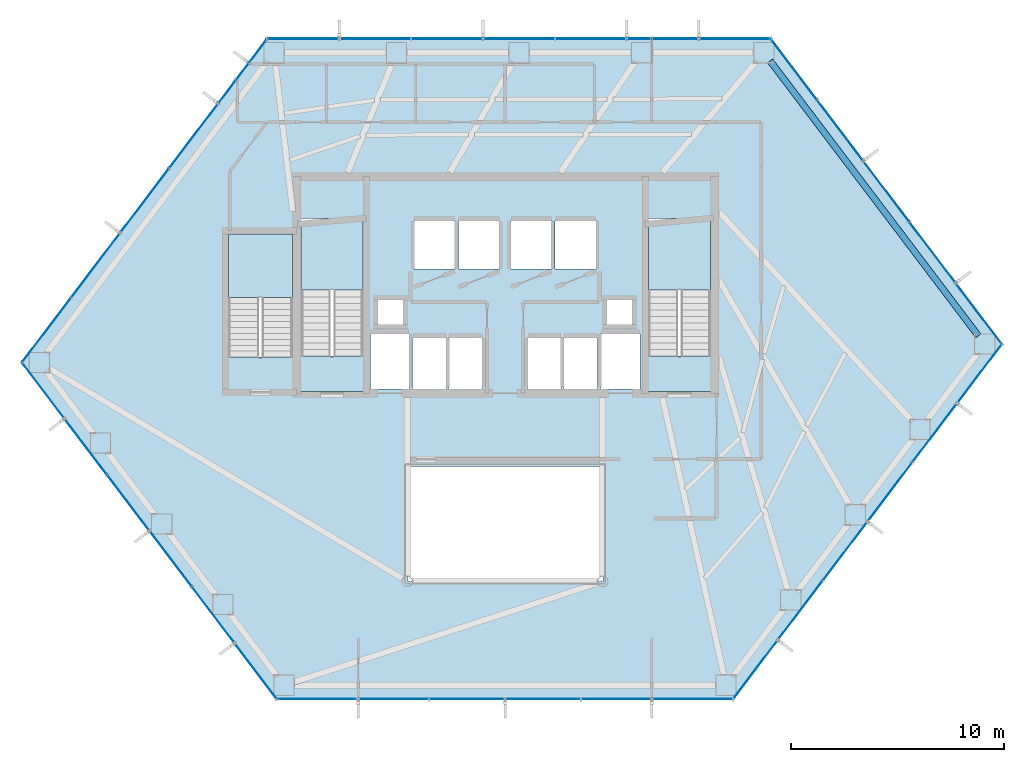
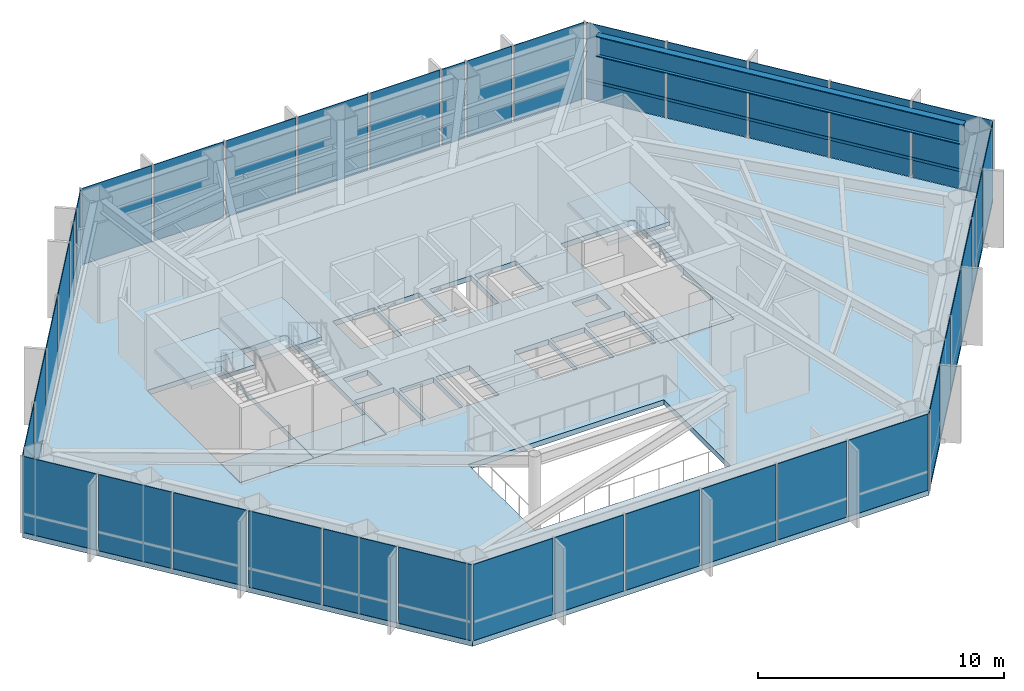
# One storey, part 21 of 25: 38 plates, 7 slabs, 1 beam, 1 member, 9 elements without a shape of their own.
"""IFC4 building model written with IfcOpenShell, lengths in metres."""

from ifc_helpers import new_model, si_unit, direction, frame, origin, origin_2d, place, context, subcontext, project, spatial, polyline, rectangle, hollow_rectangle, i_section, outline, extrude, material, layer, layer_set, material_profile, profile_set, type_object, element, aggregate, save


model = new_model("IFC4")

# Units and contexts
model_context = context("Model", 3, precision=1e-05, world=origin(), true_north=direction((0.0, 1.0)))
body_context = subcontext(model_context, "Body", "Model", "MODEL_VIEW")
ifc_project = project(units=[si_unit("LENGTHUNIT", "METRE"), si_unit("AREAUNIT", "SQUARE_METRE"), si_unit("VOLUMEUNIT", "CUBIC_METRE"), si_unit("PLANEANGLEUNIT", "RADIAN"), si_unit("MASSUNIT", "GRAM", prefix="KILO")], contexts=[model_context])

# Site, building, storey
site_placement = place(None, origin())
site = spatial("IfcSite", under=ifc_project, at=site_placement, CompositionType="ELEMENT")
building_placement = place(site_placement, origin())
building = spatial("IfcBuilding", under=site, at=building_placement, Name="Zarrinselat Tower", CompositionType="ELEMENT")
storey_placement = place(building_placement, frame((0.0, 0.0, 56.10009765625)))
storey = spatial("IfcBuildingStorey", under=building, at=storey_placement, Name="L13", CompositionType="ELEMENT", Elevation=56.10009765625)

# Beam
ifc_material_1 = material(Name="Steel S460M", Category="steel")
ifc_material_profile_1 = material_profile(ifc_material_1, i_section(OverallWidth=0.302001953125, OverallDepth=1.008056640625, WebThickness=0.02099609375, FlangeThickness=0.0400390625, at=origin_2d()), Name="HEM 1000")
ifc_profile_set_1 = profile_set([ifc_material_profile_1], Name="Steel S460M")
beam_type = type_object("IfcBeamType", Name="BM-HEM1000", PredefinedType="BEAM", material=ifc_profile_set_1)
beam_placement = place(storey_placement, frame((50.868896484375, 48.888916015625, 3.31591796875), z_axis=(0.603849576907, -0.797098292853, 0.0), x_axis=(0.797098292853, 0.603849576907, 0.0)))
element("IfcBeam", 1, at=beam_placement, inside=storey, type_object=beam_type, Name="L13 Perimeter Spandrel Girder SP15", PredefinedType="BEAM", context=body_context, shape_type="SweptSolid", body=[
    extrude(i_section(OverallWidth=0.302001953125, OverallDepth=1.008056640625, WebThickness=0.02099609375, FlangeThickness=0.0400390625, at=origin_2d()), origin(), (0.0, 0.0, 1.0), 16.2265625),
])

# Curtain wall, member
ifc_material_2 = material(Name="Extruded Aluminium Alloy EN AW-6063 T6", Category="aluminium")
ifc_layer_1 = layer(ifc_material_2, 0.18505859375)
ifc_layer_set_1 = layer_set([ifc_layer_1], Name="Extruded Aluminium Alloy EN AW-6063 T6")
curtain_wall_type = type_object("IfcCurtainWallType", Name="CWS-OFF", PredefinedType="NOTDEFINED", material=ifc_layer_set_1)
curtain_wall_1_placement = place(storey_placement, origin())
curtain_wall_1 = element("IfcCurtainWall", 2, at=curtain_wall_1_placement, inside=storey, type_object=curtain_wall_type, Name="L13 Unitised Curtain Wall CW-L13-E06", PredefinedType="NOTDEFINED")
ifc_material_3 = material(Name="Extruded Aluminium Alloy EN AW-6063 T6", Category="aluminium")
ifc_material_profile_2 = material_profile(ifc_material_3, hollow_rectangle(XDim=0.06005859375, YDim=0.139892578125, WallThickness=0.00390625, at=origin_2d()), Name="RHS 140x60x4")
ifc_profile_set_2 = profile_set([ifc_material_profile_2], Name="Extruded Aluminium Alloy EN AW-6063 T6")
member_type = type_object("IfcMemberType", Name="MEM-CW-TRN", PredefinedType="USERDEFINED", material=ifc_profile_set_2)
member_placement = place(storey_placement, frame((61.72314453125, 35.6376953125, 0.949951171875), z_axis=(-0.60386243115, 0.797088554833, 0.0), x_axis=(-0.797088554833, -0.60386243115, 0.0)))
member = element("IfcMember", 3, at=member_placement, type_object=member_type, Name="CW-L13-E06 Transom 1", ObjectType="TRANSOM", PredefinedType="USERDEFINED", context=body_context, shape_type="SweptSolid", body=[
    extrude(hollow_rectangle(XDim=0.06005859375, YDim=0.139892578125, WallThickness=0.00390625, at=origin_2d()), origin(), (0.0, 0.0, 1.0), 17.838134765625),
])

# Curtain wall, plates
curtain_wall_2_placement = place(storey_placement, origin())
curtain_wall_2 = element("IfcCurtainWall", 4, at=curtain_wall_2_placement, inside=storey, type_object=curtain_wall_type, Name="L13 Unitised Curtain Wall CW-L13-E01", PredefinedType="NOTDEFINED")
ifc_material_4 = material(Name="Double Low-E Laminated Solar Glass", Category="glass")
ifc_layer_2 = layer(ifc_material_4, 0.031982421875)
ifc_layer_set_2 = layer_set([ifc_layer_2], Name="Double Low-E Laminated Solar Glass")
plate_type = type_object("IfcPlateType", Name="PLT-CW-GL32", PredefinedType="CURTAIN_PANEL", material=ifc_layer_set_2)
plate_1_placement = place(storey_placement, frame((49.205322265625, 49.927734375, 0.02001953125), z_axis=(0.0, 0.0, 1.0), x_axis=(-1.0, 0.0, 0.0)))
plate_1 = element("IfcPlate", 5, at=plate_1_placement, type_object=plate_type, Name="CW-L13-E01 Vision Glass Panel 1", PredefinedType="CURTAIN_PANEL", context=body_context, shape_type="SweptSolid", body=[
    extrude(rectangle(XDim=3.28369140625, YDim=0.031982421875, at=origin_2d()), origin(), (0.0, 0.0, 1.0), 3.780029296875),
])
plate_2_placement = place(storey_placement, frame((46.40673828125, 49.927734375, 0.02001953125), z_axis=(0.0, 0.0, 1.0), x_axis=(-1.0, 0.0, 0.0)))
plate_2 = element("IfcPlate", 6, at=plate_2_placement, type_object=plate_type, Name="CW-L13-E01 Vision Glass Panel 2", PredefinedType="CURTAIN_PANEL", context=body_context, shape_type="SweptSolid", body=[
    extrude(rectangle(XDim=2.113525390625, YDim=0.031982421875, at=origin_2d()), origin(), (0.0, 0.0, 1.0), 3.780029296875),
])
plate_3_placement = place(storey_placement, frame((44.71484375, 49.927734375, 0.02001953125), z_axis=(0.0, 0.0, 1.0), x_axis=(-1.0, 0.0, 0.0)))
plate_3 = element("IfcPlate", 7, at=plate_3_placement, type_object=plate_type, Name="CW-L13-E01 Vision Glass Panel 3", PredefinedType="CURTAIN_PANEL", context=body_context, shape_type="SweptSolid", body=[
    extrude(rectangle(XDim=1.070068359375, YDim=0.031982421875, at=origin_2d()), origin(), (0.0, 0.0, 1.0), 3.780029296875),
])
plate_4_placement = place(storey_placement, frame((42.43798828125, 49.927734375, 0.02001953125), z_axis=(0.0, 0.0, 1.0), x_axis=(-1.0, 0.0, 0.0)))
plate_4 = element("IfcPlate", 8, at=plate_4_placement, type_object=plate_type, Name="CW-L13-E01 Vision Glass Panel 4", PredefinedType="CURTAIN_PANEL", context=body_context, shape_type="SweptSolid", body=[
    extrude(rectangle(XDim=3.28369140625, YDim=0.031982421875, at=origin_2d()), origin(), (0.0, 0.0, 1.0), 3.780029296875),
])
plate_5_placement = place(storey_placement, frame((39.05419921875, 49.927734375, 0.02001953125), z_axis=(0.0, 0.0, 1.0), x_axis=(-1.0, 0.0, 0.0)))
plate_5 = element("IfcPlate", 9, at=plate_5_placement, type_object=plate_type, Name="CW-L13-E01 Vision Glass Panel 5", PredefinedType="CURTAIN_PANEL", context=body_context, shape_type="SweptSolid", body=[
    extrude(rectangle(XDim=3.28369140625, YDim=0.031982421875, at=origin_2d()), origin(), (0.0, 0.0, 1.0), 3.780029296875),
])
plate_6_placement = place(storey_placement, frame((35.670654296875, 49.927734375, 0.02001953125), z_axis=(0.0, 0.0, 1.0), x_axis=(-1.0, 0.0, 0.0)))
plate_6 = element("IfcPlate", 10, at=plate_6_placement, type_object=plate_type, Name="CW-L13-E01 Vision Glass Panel 6", PredefinedType="CURTAIN_PANEL", context=body_context, shape_type="SweptSolid", body=[
    extrude(rectangle(XDim=3.28369140625, YDim=0.031982421875, at=origin_2d()), origin(), (0.0, 0.0, 1.0), 3.780029296875),
])
plate_7_placement = place(storey_placement, frame((32.287109375, 49.927734375, 0.02001953125), z_axis=(0.0, 0.0, 1.0), x_axis=(-1.0, 0.0, 0.0)))
plate_7 = element("IfcPlate", 11, at=plate_7_placement, type_object=plate_type, Name="CW-L13-E01 Vision Glass Panel 7", PredefinedType="CURTAIN_PANEL", context=body_context, shape_type="SweptSolid", body=[
    extrude(rectangle(XDim=3.28369140625, YDim=0.031982421875, at=origin_2d()), origin(), (0.0, 0.0, 1.0), 3.780029296875),
])
plate_8_placement = place(storey_placement, frame((28.9033203125, 49.927734375, 0.02001953125), z_axis=(0.0, 0.0, 1.0), x_axis=(-1.0, 0.0, 0.0)))
plate_8 = element("IfcPlate", 12, at=plate_8_placement, type_object=plate_type, Name="CW-L13-E01 Vision Glass Panel 8", PredefinedType="CURTAIN_PANEL", context=body_context, shape_type="SweptSolid", body=[
    extrude(rectangle(XDim=3.28369140625, YDim=0.031982421875, at=origin_2d()), origin(), (0.0, 0.0, 1.0), 3.780029296875),
])
aggregate(curtain_wall_2, [plate_1, plate_2, plate_3, plate_4, plate_5, plate_6, plate_7, plate_8])

curtain_wall_3_placement = place(storey_placement, origin())
curtain_wall_3 = element("IfcCurtainWall", 13, at=curtain_wall_3_placement, inside=storey, type_object=curtain_wall_type, Name="L13 Unitised Curtain Wall CW-L13-E02", PredefinedType="NOTDEFINED")
plate_9_placement = place(storey_placement, frame((26.779052734375, 49.35693359375, 0.02001953125), z_axis=(0.0, 0.0, 1.0), x_axis=(-0.603859502298, -0.797090773679, 0.0)))
plate_9 = element("IfcPlate", 14, at=plate_9_placement, type_object=plate_type, Name="CW-L13-E02 Vision Glass Panel 1", PredefinedType="CURTAIN_PANEL", context=body_context, shape_type="SweptSolid", body=[
    extrude(rectangle(XDim=1.332275390625, YDim=0.031982421875, at=origin_2d()), origin(), (0.0, 0.0, 1.0), 3.780029296875),
])
plate_10_placement = place(storey_placement, frame((26.04931640625, 48.393798828125, 0.02001953125), z_axis=(0.0, 0.0, 1.0), x_axis=(-0.603859502298, -0.797090773679, 0.0)))
plate_10 = element("IfcPlate", 15, at=plate_10_placement, type_object=plate_type, Name="CW-L13-E02 Vision Glass Panel 2", PredefinedType="CURTAIN_PANEL", context=body_context, shape_type="SweptSolid", body=[
    extrude(rectangle(XDim=0.884521484375, YDim=0.031982421875, at=origin_2d()), origin(), (0.0, 0.0, 1.0), 3.780029296875),
])
plate_11_placement = place(storey_placement, frame((25.328369140625, 47.442138671875, 0.02001953125), z_axis=(0.0, 0.0, 1.0), x_axis=(-0.603859502298, -0.797090773679, 0.0)))
plate_11 = element("IfcPlate", 16, at=plate_11_placement, type_object=plate_type, Name="CW-L13-E02 Vision Glass Panel 3", PredefinedType="CURTAIN_PANEL", context=body_context, shape_type="SweptSolid", body=[
    extrude(rectangle(XDim=1.3037109375, YDim=0.031982421875, at=origin_2d()), origin(), (0.0, 0.0, 1.0), 3.780029296875),
])
plate_12_placement = place(storey_placement, frame((23.751220703125, 45.360107421875, 0.02001953125), z_axis=(0.0, 0.0, 1.0), x_axis=(-0.603859502298, -0.797090773679, 0.0)))
plate_12 = element("IfcPlate", 17, at=plate_12_placement, type_object=plate_type, Name="CW-L13-E02 Vision Glass Panel 4", PredefinedType="CURTAIN_PANEL", context=body_context, shape_type="SweptSolid", body=[
    extrude(rectangle(XDim=3.72021484375, YDim=0.031982421875, at=origin_2d()), origin(), (0.0, 0.0, 1.0), 3.780029296875),
])
plate_13_placement = place(storey_placement, frame((21.444091796875, 42.31494140625, 0.02001953125), z_axis=(0.0, 0.0, 1.0), x_axis=(-0.603859502298, -0.797090773679, 0.0)))
plate_13 = element("IfcPlate", 18, at=plate_13_placement, type_object=plate_type, Name="CW-L13-E02 Vision Glass Panel 5", PredefinedType="CURTAIN_PANEL", context=body_context, shape_type="SweptSolid", body=[
    extrude(rectangle(XDim=3.72021484375, YDim=0.031982421875, at=origin_2d()), origin(), (0.0, 0.0, 1.0), 3.780029296875),
])
plate_14_placement = place(storey_placement, frame((19.13720703125, 39.27001953125, 0.02001953125), z_axis=(0.0, 0.0, 1.0), x_axis=(-0.603859502298, -0.797090773679, 0.0)))
plate_14 = element("IfcPlate", 19, at=plate_14_placement, type_object=plate_type, Name="CW-L13-E02 Vision Glass Panel 6", PredefinedType="CURTAIN_PANEL", context=body_context, shape_type="SweptSolid", body=[
    extrude(rectangle(XDim=3.72021484375, YDim=0.031982421875, at=origin_2d()), origin(), (0.0, 0.0, 1.0), 3.780029296875),
])
plate_15_placement = place(storey_placement, frame((16.830322265625, 36.224853515625, 0.02001953125), z_axis=(0.0, 0.0, 1.0), x_axis=(-0.603859502298, -0.797090773679, 0.0)))
plate_15 = element("IfcPlate", 20, at=plate_15_placement, type_object=plate_type, Name="CW-L13-E02 Vision Glass Panel 7", PredefinedType="CURTAIN_PANEL", context=body_context, shape_type="SweptSolid", body=[
    extrude(rectangle(XDim=3.72021484375, YDim=0.031982421875, at=origin_2d()), origin(), (0.0, 0.0, 1.0), 3.780029296875),
])
aggregate(curtain_wall_3, [plate_9, plate_10, plate_11, plate_12, plate_13, plate_14, plate_15])

curtain_wall_4_placement = place(storey_placement, origin())
curtain_wall_4 = element("IfcCurtainWall", 21, at=curtain_wall_4_placement, inside=storey, type_object=curtain_wall_type, Name="L13 Unitised Curtain Wall CW-L13-E03", PredefinedType="NOTDEFINED")
plate_16_placement = place(storey_placement, frame((16.677001953125, 33.382080078125, 0.02001953125), z_axis=(0.0, 0.0, 1.0), x_axis=(0.603861563254, -0.797089212337, 0.0)))
plate_16 = element("IfcPlate", 22, at=plate_16_placement, type_object=plate_type, Name="CW-L13-E03 Vision Glass Panel 1", PredefinedType="CURTAIN_PANEL", context=body_context, shape_type="SweptSolid", body=[
    extrude(rectangle(XDim=3.212158203125, YDim=0.031982421875, at=origin_2d()), origin(), (0.0, 0.0, 1.0), 3.780029296875),
])
plate_17_placement = place(storey_placement, frame((18.677001953125, 30.7421875, 0.02001953125), z_axis=(0.0, 0.0, 1.0), x_axis=(0.603861563254, -0.797089212337, 0.0)))
plate_17 = element("IfcPlate", 23, at=plate_17_placement, type_object=plate_type, Name="CW-L13-E03 Vision Glass Panel 2", PredefinedType="CURTAIN_PANEL", context=body_context, shape_type="SweptSolid", body=[
    extrude(rectangle(XDim=3.212158203125, YDim=0.031982421875, at=origin_2d()), origin(), (0.0, 0.0, 1.0), 3.780029296875),
])
plate_18_placement = place(storey_placement, frame((20.677001953125, 28.10205078125, 0.02001953125), z_axis=(0.0, 0.0, 1.0), x_axis=(0.603861563254, -0.797089212337, 0.0)))
plate_18 = element("IfcPlate", 24, at=plate_18_placement, type_object=plate_type, Name="CW-L13-E03 Vision Glass Panel 3", PredefinedType="CURTAIN_PANEL", context=body_context, shape_type="SweptSolid", body=[
    extrude(rectangle(XDim=3.212158203125, YDim=0.031982421875, at=origin_2d()), origin(), (0.0, 0.0, 1.0), 3.780029296875),
])
plate_19_placement = place(storey_placement, frame((22.67724609375, 25.4619140625, 0.02001953125), z_axis=(0.0, 0.0, 1.0), x_axis=(0.603861563254, -0.797089212337, 0.0)))
plate_19 = element("IfcPlate", 25, at=plate_19_placement, type_object=plate_type, Name="CW-L13-E03 Vision Glass Panel 4", PredefinedType="CURTAIN_PANEL", context=body_context, shape_type="SweptSolid", body=[
    extrude(rectangle(XDim=3.212158203125, YDim=0.031982421875, at=origin_2d()), origin(), (0.0, 0.0, 1.0), 3.780029296875),
])
plate_20_placement = place(storey_placement, frame((24.67724609375, 22.82177734375, 0.02001953125), z_axis=(0.0, 0.0, 1.0), x_axis=(0.603861563254, -0.797089212337, 0.0)))
plate_20 = element("IfcPlate", 26, at=plate_20_placement, type_object=plate_type, Name="CW-L13-E03 Vision Glass Panel 5", PredefinedType="CURTAIN_PANEL", context=body_context, shape_type="SweptSolid", body=[
    extrude(rectangle(XDim=3.212158203125, YDim=0.031982421875, at=origin_2d()), origin(), (0.0, 0.0, 1.0), 3.780029296875),
])
plate_21_placement = place(storey_placement, frame((26.677490234375, 20.181640625, 0.02001953125), z_axis=(0.0, 0.0, 1.0), x_axis=(0.603861563254, -0.797089212337, 0.0)))
plate_21 = element("IfcPlate", 27, at=plate_21_placement, type_object=plate_type, Name="CW-L13-E03 Vision Glass Panel 6", PredefinedType="CURTAIN_PANEL", context=body_context, shape_type="SweptSolid", body=[
    extrude(rectangle(XDim=3.212158203125, YDim=0.031982421875, at=origin_2d()), origin(), (0.0, 0.0, 1.0), 3.780029296875),
])
aggregate(curtain_wall_4, [plate_16, plate_17, plate_18, plate_19, plate_20, plate_21])

curtain_wall_5_placement = place(storey_placement, origin())
curtain_wall_5 = element("IfcCurtainWall", 28, at=curtain_wall_5_placement, inside=storey, type_object=curtain_wall_type, Name="L13 Unitised Curtain Wall CW-L13-E04", PredefinedType="NOTDEFINED")
plate_22_placement = place(storey_placement, frame((29.588623046875, 18.86181640625, 0.02001953125), z_axis=(0.0, 0.0, 1.0), x_axis=(1.0, 0.0, 0.0)))
plate_22 = element("IfcPlate", 29, at=plate_22_placement, type_object=plate_type, Name="CW-L13-E04 Vision Glass Panel 1", PredefinedType="CURTAIN_PANEL", context=body_context, shape_type="SweptSolid", body=[
    extrude(rectangle(XDim=3.72265625, YDim=0.031982421875, at=origin_2d()), origin(), (0.0, 0.0, 1.0), 3.780029296875),
])
plate_23_placement = place(storey_placement, frame((33.162841796875, 18.86181640625, 0.02001953125), z_axis=(0.0, 0.0, 1.0), x_axis=(1.0, 0.0, 0.0)))
plate_23 = element("IfcPlate", 30, at=plate_23_placement, type_object=plate_type, Name="CW-L13-E04 Vision Glass Panel 2", PredefinedType="CURTAIN_PANEL", context=body_context, shape_type="SweptSolid", body=[
    extrude(rectangle(XDim=3.225830078125, YDim=0.031982421875, at=origin_2d()), origin(), (0.0, 0.0, 1.0), 3.780029296875),
])
plate_24_placement = place(storey_placement, frame((36.61279296875, 18.86181640625, 0.02001953125), z_axis=(0.0, 0.0, 1.0), x_axis=(1.0, 0.0, 0.0)))
plate_24 = element("IfcPlate", 31, at=plate_24_placement, type_object=plate_type, Name="CW-L13-E04 Vision Glass Panel 3", PredefinedType="CURTAIN_PANEL", context=body_context, shape_type="SweptSolid", body=[
    extrude(rectangle(XDim=3.47412109375, YDim=0.031982421875, at=origin_2d()), origin(), (0.0, 0.0, 1.0), 3.780029296875),
])
plate_25_placement = place(storey_placement, frame((40.18701171875, 18.86181640625, 0.02001953125), z_axis=(0.0, 0.0, 1.0), x_axis=(1.0, 0.0, 0.0)))
plate_25 = element("IfcPlate", 32, at=plate_25_placement, type_object=plate_type, Name="CW-L13-E04 Vision Glass Panel 4", PredefinedType="CURTAIN_PANEL", context=body_context, shape_type="SweptSolid", body=[
    extrude(rectangle(XDim=3.47412109375, YDim=0.031982421875, at=origin_2d()), origin(), (0.0, 0.0, 1.0), 3.780029296875),
])
plate_26_placement = place(storey_placement, frame((43.63720703125, 18.86181640625, 0.02001953125), z_axis=(0.0, 0.0, 1.0), x_axis=(1.0, 0.0, 0.0)))
plate_26 = element("IfcPlate", 33, at=plate_26_placement, type_object=plate_type, Name="CW-L13-E04 Vision Glass Panel 5", PredefinedType="CURTAIN_PANEL", context=body_context, shape_type="SweptSolid", body=[
    extrude(rectangle(XDim=3.225830078125, YDim=0.031982421875, at=origin_2d()), origin(), (0.0, 0.0, 1.0), 3.780029296875),
])
plate_27_placement = place(storey_placement, frame((47.211181640625, 18.86181640625, 0.02001953125), z_axis=(0.0, 0.0, 1.0), x_axis=(1.0, 0.0, 0.0)))
plate_27 = element("IfcPlate", 34, at=plate_27_placement, type_object=plate_type, Name="CW-L13-E04 Vision Glass Panel 6", PredefinedType="CURTAIN_PANEL", context=body_context, shape_type="SweptSolid", body=[
    extrude(rectangle(XDim=3.72265625, YDim=0.031982421875, at=origin_2d()), origin(), (0.0, 0.0, 1.0), 3.780029296875),
])
aggregate(curtain_wall_5, [plate_22, plate_23, plate_24, plate_25, plate_26, plate_27])

curtain_wall_6_placement = place(storey_placement, origin())
curtain_wall_6 = element("IfcCurtainWall", 35, at=curtain_wall_6_placement, inside=storey, type_object=curtain_wall_type, Name="L13 Unitised Curtain Wall CW-L13-E05", PredefinedType="NOTDEFINED")
plate_28_placement = place(storey_placement, frame((50.17724609375, 20.253662109375, 0.02001953125), z_axis=(0.0, 0.0, 1.0), x_axis=(0.603860811653, 0.797089781737, 0.0)))
plate_28 = element("IfcPlate", 36, at=plate_28_placement, type_object=plate_type, Name="CW-L13-E05 Vision Glass Panel 1", PredefinedType="CURTAIN_PANEL", context=body_context, shape_type="SweptSolid", body=[
    extrude(rectangle(XDim=3.392578125, YDim=0.031982421875, at=origin_2d()), origin(), (0.0, 0.0, 1.0), 3.780029296875),
])
plate_29_placement = place(storey_placement, frame((52.286376953125, 23.03759765625, 0.02001953125), z_axis=(0.0, 0.0, 1.0), x_axis=(0.603860811653, 0.797089781737, 0.0)))
plate_29 = element("IfcPlate", 37, at=plate_29_placement, type_object=plate_type, Name="CW-L13-E05 Vision Glass Panel 2", PredefinedType="CURTAIN_PANEL", context=body_context, shape_type="SweptSolid", body=[
    extrude(rectangle(XDim=3.392578125, YDim=0.031982421875, at=origin_2d()), origin(), (0.0, 0.0, 1.0), 3.780029296875),
])
plate_30_placement = place(storey_placement, frame((54.3955078125, 25.82177734375, 0.02001953125), z_axis=(0.0, 0.0, 1.0), x_axis=(0.603860811653, 0.797089781737, 0.0)))
plate_30 = element("IfcPlate", 38, at=plate_30_placement, type_object=plate_type, Name="CW-L13-E05 Vision Glass Panel 3", PredefinedType="CURTAIN_PANEL", context=body_context, shape_type="SweptSolid", body=[
    extrude(rectangle(XDim=3.392578125, YDim=0.031982421875, at=origin_2d()), origin(), (0.0, 0.0, 1.0), 3.780029296875),
])
plate_31_placement = place(storey_placement, frame((56.504638671875, 28.605712890625, 0.02001953125), z_axis=(0.0, 0.0, 1.0), x_axis=(0.603860811653, 0.797089781737, 0.0)))
plate_31 = element("IfcPlate", 39, at=plate_31_placement, type_object=plate_type, Name="CW-L13-E05 Vision Glass Panel 4", PredefinedType="CURTAIN_PANEL", context=body_context, shape_type="SweptSolid", body=[
    extrude(rectangle(XDim=3.392578125, YDim=0.031982421875, at=origin_2d()), origin(), (0.0, 0.0, 1.0), 3.780029296875),
])
plate_32_placement = place(storey_placement, frame((58.61376953125, 31.389892578125, 0.02001953125), z_axis=(0.0, 0.0, 1.0), x_axis=(0.603860811653, 0.797089781737, 0.0)))
plate_32 = element("IfcPlate", 40, at=plate_32_placement, type_object=plate_type, Name="CW-L13-E05 Vision Glass Panel 5", PredefinedType="CURTAIN_PANEL", context=body_context, shape_type="SweptSolid", body=[
    extrude(rectangle(XDim=3.392578125, YDim=0.031982421875, at=origin_2d()), origin(), (0.0, 0.0, 1.0), 3.780029296875),
])
plate_33_placement = place(storey_placement, frame((60.722900390625, 34.173828125, 0.02001953125), z_axis=(0.0, 0.0, 1.0), x_axis=(0.603860811653, 0.797089781737, 0.0)))
plate_33 = element("IfcPlate", 41, at=plate_33_placement, type_object=plate_type, Name="CW-L13-E05 Vision Glass Panel 6", PredefinedType="CURTAIN_PANEL", context=body_context, shape_type="SweptSolid", body=[
    extrude(rectangle(XDim=3.392578125, YDim=0.031982421875, at=origin_2d()), origin(), (0.0, 0.0, 1.0), 3.780029296875),
])
aggregate(curtain_wall_6, [plate_28, plate_29, plate_30, plate_31, plate_32, plate_33])

# Plate
plate_34_placement = place(storey_placement, frame((60.689453125, 37.002197265625, 0.02001953125), z_axis=(0.0, 0.0, 1.0), x_axis=(-0.603856726294, 0.797092876715, 0.0)))
plate_34 = element("IfcPlate", 42, at=plate_34_placement, type_object=plate_type, Name="CW-L13-E06 Vision Glass Panel 1", PredefinedType="CURTAIN_PANEL", context=body_context, shape_type="SweptSolid", body=[
    extrude(rectangle(XDim=3.503662109375, YDim=0.031982421875, at=origin_2d()), origin(), (0.0, 0.0, 1.0), 3.780029296875),
])

plate_35_placement = place(storey_placement, frame((58.51318359375, 39.87451171875, 0.02001953125), z_axis=(0.0, 0.0, 1.0), x_axis=(-0.603856726294, 0.797092876715, 0.0)))
plate_35 = element("IfcPlate", 43, at=plate_35_placement, type_object=plate_type, Name="CW-L13-E06 Vision Glass Panel 2", PredefinedType="CURTAIN_PANEL", context=body_context, shape_type="SweptSolid", body=[
    extrude(rectangle(XDim=3.503662109375, YDim=0.031982421875, at=origin_2d()), origin(), (0.0, 0.0, 1.0), 3.780029296875),
])

plate_36_placement = place(storey_placement, frame((56.33740234375, 42.746826171875, 0.02001953125), z_axis=(0.0, 0.0, 1.0), x_axis=(-0.603856726294, 0.797092876715, 0.0)))
plate_36 = element("IfcPlate", 44, at=plate_36_placement, type_object=plate_type, Name="CW-L13-E06 Vision Glass Panel 3", PredefinedType="CURTAIN_PANEL", context=body_context, shape_type="SweptSolid", body=[
    extrude(rectangle(XDim=3.503662109375, YDim=0.031982421875, at=origin_2d()), origin(), (0.0, 0.0, 1.0), 3.780029296875),
])

plate_37_placement = place(storey_placement, frame((54.161376953125, 45.619140625, 0.02001953125), z_axis=(0.0, 0.0, 1.0), x_axis=(-0.603856726294, 0.797092876715, 0.0)))
plate_37 = element("IfcPlate", 45, at=plate_37_placement, type_object=plate_type, Name="CW-L13-E06 Vision Glass Panel 4", PredefinedType="CURTAIN_PANEL", context=body_context, shape_type="SweptSolid", body=[
    extrude(rectangle(XDim=3.503662109375, YDim=0.031982421875, at=origin_2d()), origin(), (0.0, 0.0, 1.0), 3.780029296875),
])

plate_38_placement = place(storey_placement, frame((51.985107421875, 48.49169921875, 0.02001953125), z_axis=(0.0, 0.0, 1.0), x_axis=(-0.603856726294, 0.797092876715, 0.0)))
plate_38 = element("IfcPlate", 46, at=plate_38_placement, type_object=plate_type, Name="CW-L13-E06 Vision Glass Panel 5", PredefinedType="CURTAIN_PANEL", context=body_context, shape_type="SweptSolid", body=[
    extrude(rectangle(XDim=3.503662109375, YDim=0.031982421875, at=origin_2d()), origin(), (0.0, 0.0, 1.0), 3.780029296875),
])

aggregate(curtain_wall_1, [member, plate_34, plate_35, plate_36, plate_37, plate_38])

# Slabs
ifc_material_5 = material(Name="Concrete C40/50", Category="concrete")
ifc_layer_3 = layer(ifc_material_5, 0.260009765625)
ifc_layer_set_3 = layer_set([ifc_layer_3], Name="Concrete C40/50")
slab_type_1 = type_object("IfcSlabType", Name="SLB-FLOOR-260-SL-OF260", PredefinedType="FLOOR", material=ifc_layer_set_3)
slab_1_placement = place(storey_placement, frame((0.0, 0.0, -0.260009765625)))
element("IfcSlab", 47, at=slab_1_placement, inside=storey, type_object=slab_type_1, Name="L13 Primary Structural Slab", PredefinedType="FLOOR", context=body_context, shape_type="SweptSolid", body=[
    extrude(outline(polyline([(50.897216796875, 49.927734375), (27.21142578125, 49.927734375), (15.677001953125, 34.7021484375), (27.677490234375, 18.86181640625), (49.12255859375, 18.86181640625), (61.77734375, 35.56591796875), (50.897216796875, 49.927734375)]), holes=[polyline([(34.050048828125, 33.449951171875), (34.050048828125, 35.85009765625), (35.64990234375, 35.85009765625), (35.64990234375, 33.449951171875), (34.050048828125, 33.449951171875)]), polyline([(35.75, 33.449951171875), (35.75, 35.85009765625), (37.35009765625, 35.85009765625), (37.35009765625, 33.449951171875), (35.75, 33.449951171875)]), polyline([(32.06005859375, 33.449951171875), (32.06005859375, 36.050048828125), (33.89990234375, 36.050048828125), (33.89990234375, 33.449951171875), (32.06005859375, 33.449951171875)]), polyline([(32.419921875, 36.47998046875), (32.419921875, 37.639892578125), (33.60009765625, 37.639892578125), (33.60009765625, 36.47998046875), (32.419921875, 36.47998046875)]), polyline([(28.594970703125, 33.324951171875), (25.114990234375, 33.324951171875), (25.114990234375, 40.875), (28.594970703125, 40.875), (28.594970703125, 33.324951171875)]), polyline([(31.985107421875, 33.324951171875), (28.60498046875, 33.324951171875), (28.60498046875, 41.47509765625), (31.985107421875, 41.47509765625), (31.985107421875, 33.324951171875)]), polyline([(34.10009765625, 39.10009765625), (34.10009765625, 41.35009765625), (36.050048828125, 41.35009765625), (36.050048828125, 39.10009765625), (34.10009765625, 39.10009765625)]), polyline([(36.199951171875, 39.10009765625), (36.199951171875, 41.35009765625), (38.14990234375, 41.35009765625), (38.14990234375, 39.10009765625), (36.199951171875, 39.10009765625)]), polyline([(33.800048828125, 24.39990234375), (33.800048828125, 29.800048828125), (43.0, 29.800048828125), (43.0, 24.39990234375), (33.800048828125, 24.39990234375)]), polyline([(39.449951171875, 33.449951171875), (39.449951171875, 35.85009765625), (41.050048828125, 35.85009765625), (41.050048828125, 33.449951171875), (39.449951171875, 33.449951171875)]), polyline([(41.14990234375, 33.449951171875), (41.14990234375, 35.85009765625), (42.75, 35.85009765625), (42.75, 33.449951171875), (41.14990234375, 33.449951171875)]), polyline([(42.89990234375, 33.449951171875), (42.89990234375, 36.050048828125), (44.739990234375, 36.050048828125), (44.739990234375, 33.449951171875), (42.89990234375, 33.449951171875)]), polyline([(43.199951171875, 36.47998046875), (43.199951171875, 37.639892578125), (44.3798828125, 37.639892578125), (44.3798828125, 36.47998046875), (43.199951171875, 36.47998046875)]), polyline([(48.324951171875, 33.324951171875), (44.875, 33.324951171875), (44.875, 41.47509765625), (48.324951171875, 41.47509765625), (48.324951171875, 33.324951171875)]), polyline([(38.64990234375, 39.10009765625), (38.64990234375, 41.35009765625), (40.60009765625, 41.35009765625), (40.60009765625, 39.10009765625), (38.64990234375, 39.10009765625)]), polyline([(40.75, 39.10009765625), (40.75, 41.35009765625), (42.699951171875, 41.35009765625), (42.699951171875, 39.10009765625), (40.75, 39.10009765625)])]), origin(), (0.0, 0.0, 1.0), 0.260009765625),
])
slab_2_placement = place(storey_placement, frame((0.0, 0.0, -0.260009765625)))
element("IfcSlab", 48, at=slab_2_placement, inside=storey, type_object=slab_type_1, Name="L13 Stair ST-1-FL1 Structural Floor Landing", PredefinedType="FLOOR", context=body_context, shape_type="SweptSolid", body=[
    extrude(outline(polyline([(31.97998046875, 33.330078125), (31.97998046875, 35.0), (28.610107421875, 35.0), (28.610107421875, 33.330078125), (31.97998046875, 33.330078125)])), origin(), (0.0, 0.0, 1.0), 0.260009765625),
])
slab_3_placement = place(storey_placement, frame((0.0, 0.0, -0.260009765625)))
element("IfcSlab", 49, at=slab_3_placement, inside=storey, type_object=slab_type_1, Name="L13 Stair ST-2-FL1 Structural Floor Landing", PredefinedType="FLOOR", context=body_context, shape_type="SweptSolid", body=[
    extrude(outline(polyline([(48.320068359375, 33.330078125), (48.320068359375, 35.0), (44.8798828125, 35.0), (44.8798828125, 33.330078125), (48.320068359375, 33.330078125)])), origin(), (0.0, 0.0, 1.0), 0.260009765625),
])
slab_4_placement = place(storey_placement, frame((0.0, 0.0, -0.260009765625)))
element("IfcSlab", 50, at=slab_4_placement, inside=storey, type_object=slab_type_1, Name="L13 Stair ST-3-FL1 Structural Floor Landing", PredefinedType="FLOOR", context=body_context, shape_type="SweptSolid", body=[
    extrude(outline(polyline([(28.590087890625, 33.330078125), (28.590087890625, 34.949951171875), (25.1201171875, 34.949951171875), (25.1201171875, 33.330078125), (28.590087890625, 33.330078125)])), origin(), (0.0, 0.0, 1.0), 0.260009765625),
])

# Stair, slab
ifc_material_6 = material(Name="Concrete C40/50", Category="concrete")
stair_type_1 = type_object("IfcStairType", Name="STR-CORE-145", PredefinedType="HALF_TURN_STAIR", material=ifc_material_6)
stair_1_placement = place(storey_placement, origin())
stair_1 = element("IfcStair", 51, at=stair_1_placement, inside=storey, type_object=stair_type_1, Name="L13 Podium & Mid-Tower Exit Stair 3", PredefinedType="HALF_TURN_STAIR")
ifc_material_7 = material(Name="Concrete C40/50", Category="concrete")
ifc_layer_4 = layer(ifc_material_7, 0.1650390625)
ifc_layer_set_4 = layer_set([ifc_layer_4], Name="Concrete C40/50")
slab_type_2 = type_object("IfcSlabType", Name="SLB-LND-165", PredefinedType="LANDING", material=ifc_layer_set_4)
slab_5_placement = place(storey_placement, frame((0.0, 0.0, 1.83984375)))
slab_5 = element("IfcSlab", 52, at=slab_5_placement, type_object=slab_type_2, Name="ST-3 landing 1", PredefinedType="LANDING", context=body_context, shape_type="SweptSolid", body=[
    extrude(outline(polyline([(28.39990234375, 37.75), (28.39990234375, 40.75), (25.3798828125, 40.75), (25.3798828125, 37.75), (28.39990234375, 37.75)])), origin(), (0.0, 0.0, 1.0), 0.199951171875),
])
aggregate(stair_1, [slab_5])

ifc_material_8 = material(Name="Concrete C40/50", Category="concrete")
stair_type_2 = type_object("IfcStairType", Name="STR-CORE-155", PredefinedType="HALF_TURN_STAIR", material=ifc_material_8)
stair_2_placement = place(storey_placement, origin())
stair_2 = element("IfcStair", 53, at=stair_2_placement, inside=storey, type_object=stair_type_2, Name="L13 Core Exit Stair 1", PredefinedType="HALF_TURN_STAIR")
ifc_material_9 = material(Name="Concrete C40/50", Category="concrete")
ifc_layer_5 = layer(ifc_material_9, 0.18994140625)
ifc_layer_set_5 = layer_set([ifc_layer_5], Name="Concrete C40/50")
slab_type_3 = type_object("IfcSlabType", Name="SLB-LND-190", PredefinedType="LANDING", material=ifc_layer_set_5)
slab_6_placement = place(storey_placement, frame((0.0, 0.0, 1.83984375)))
slab_6 = element("IfcSlab", 54, at=slab_6_placement, type_object=slab_type_3, Name="ST-1 landing 1", PredefinedType="LANDING", context=body_context, shape_type="SweptSolid", body=[
    extrude(outline(polyline([(31.719970703125, 38.10009765625), (31.719970703125, 41.35009765625), (28.800048828125, 41.35009765625), (28.800048828125, 38.10009765625), (31.719970703125, 38.10009765625)])), origin(), (0.0, 0.0, 1.0), 0.199951171875),
])
aggregate(stair_2, [slab_6])

stair_3_placement = place(storey_placement, origin())
stair_3 = element("IfcStair", 55, at=stair_3_placement, inside=storey, type_object=stair_type_2, Name="L13 Core Exit Stair 2", PredefinedType="HALF_TURN_STAIR")
slab_7_placement = place(storey_placement, frame((0.0, 0.0, 1.83984375)))
slab_7 = element("IfcSlab", 56, at=slab_7_placement, type_object=slab_type_3, Name="ST-2 landing 1", PredefinedType="LANDING", context=body_context, shape_type="SweptSolid", body=[
    extrude(outline(polyline([(48.06005859375, 38.10009765625), (48.06005859375, 41.35009765625), (45.139892578125, 41.35009765625), (45.139892578125, 38.10009765625), (48.06005859375, 38.10009765625)])), origin(), (0.0, 0.0, 1.0), 0.199951171875),
])
aggregate(stair_3, [slab_7])

save(model, "model.ifc")
